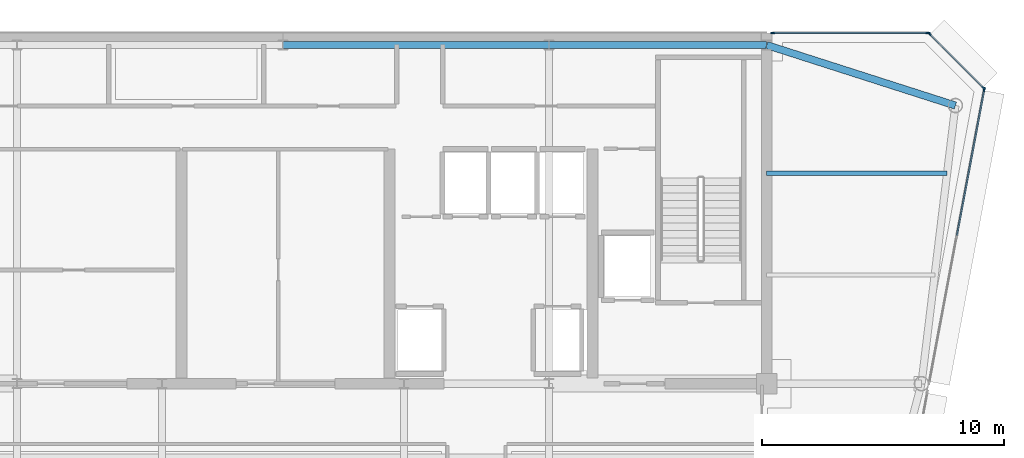
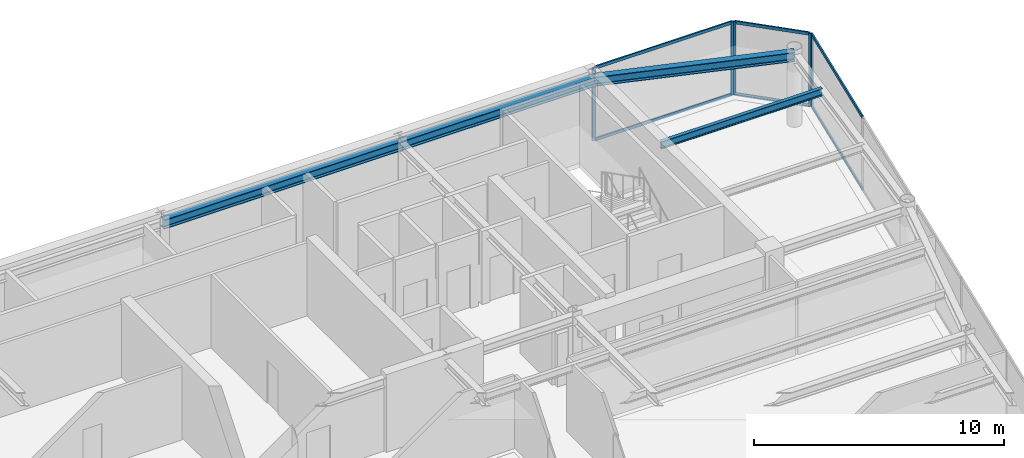
# One storey, part 9 of 19: 11 members, 4 beams, 3 elements without a shape of their own.
"""IFC4 building model written with IfcOpenShell, lengths in metres."""

from ifc_helpers import new_model, si_unit, direction, frame, origin, origin_2d, place, context, subcontext, project, spatial, rectangle, i_section, extrude, source, transform, mapped, material, layer, layer_set, material_profile, profile_set, type_object, element, aggregate, save


model = new_model("IFC4")

# Units and contexts
model_context = context("Model", 3, precision=1e-05, world=origin(), true_north=direction((0.0, 1.0)))
body_context = subcontext(model_context, "Body", "Model", "MODEL_VIEW")
ifc_project = project(units=[si_unit("LENGTHUNIT", "METRE"), si_unit("AREAUNIT", "SQUARE_METRE"), si_unit("VOLUMEUNIT", "CUBIC_METRE"), si_unit("PLANEANGLEUNIT", "RADIAN"), si_unit("MASSUNIT", "GRAM", prefix="KILO")], contexts=[model_context])

# Site, building, storey
site_placement = place(None, origin())
site = spatial("IfcSite", under=ifc_project, at=site_placement, CompositionType="ELEMENT")
building_placement = place(site_placement, origin())
building = spatial("IfcBuilding", under=site, at=building_placement, Name="Vaeldorn Concourse Tower", CompositionType="ELEMENT")
storey_placement = place(building_placement, frame((0.0, 0.0, 287.800048828125)))
storey = spatial("IfcBuildingStorey", under=building, at=storey_placement, Name="L74", CompositionType="ELEMENT", Elevation=287.800048828125)

# Beams
ifc_material_1 = material(Name="Steel S355", Category="steel")
ifc_material_profile_1 = material_profile(ifc_material_1, i_section(OverallWidth=0.300048828125, OverallDepth=0.449951171875, WebThickness=0.013916015625, FlangeThickness=0.02587890625, FilletRadius=0.027099609375, at=origin_2d()), Name="HEB 450")
ifc_profile_set_1 = profile_set([ifc_material_profile_1], Name="Steel S355")
beam_type_1 = type_object("IfcBeamType", Name="BM-PG-HEB450", PredefinedType="BEAM", material=ifc_profile_set_1)
shared_shape_1 = source(origin(), body_context, "Body", "SweptSolid", [
    extrude(i_section(OverallWidth=0.300048828125, OverallDepth=0.449951171875, WebThickness=0.013916015625, FlangeThickness=0.02587890625, FilletRadius=0.027099609375, at=origin_2d()), origin(), (0.0, 0.0, 1.0), 11.0),
])
beam_1_placement = place(storey_placement, frame((34.0, 50.5, 3.35498046875), z_axis=(1.0, 0.0, 0.0), x_axis=(0.0, 1.0, 0.0)))
element("IfcBeam", 1, at=beam_1_placement, inside=storey, type_object=beam_type_1, Name="Beam BM-L74-C-HC3-C-HC4", PredefinedType="BEAM", context=body_context, shape_type="MappedRepresentation", body=[
    mapped(shared_shape_1, transform((0.0, 0.0, 0.0), scale=1.0)),
])
ifc_material_profile_2 = material_profile(ifc_material_1, i_section(OverallWidth=0.169921875, OverallDepth=0.360107421875, WebThickness=0.008056640625, FlangeThickness=0.0126953125, FilletRadius=0.01806640625, at=origin_2d()), Name="IPE 360")
ifc_profile_set_2 = profile_set([ifc_material_profile_2], Name="Steel S355")
beam_type_2 = type_object("IfcBeamType", Name="BM-JS-IPE360", PredefinedType="JOIST", material=ifc_profile_set_2)
shared_shape_2 = source(origin(), body_context, "Body", "SweptSolid", [
    extrude(i_section(OverallWidth=0.169921875, OverallDepth=0.360107421875, WebThickness=0.008056640625, FlangeThickness=0.0126953125, FilletRadius=0.01806640625, at=origin_2d()), origin(), (0.0, 0.0, 1.0), 7.458984375),
])
beam_2_placement = place(storey_placement, frame((54.0, 45.199951171875, 3.39990234375), z_axis=(1.0, 0.0, 0.0), x_axis=(0.0, 1.0, 0.0)))
element("IfcBeam", 2, at=beam_2_placement, inside=storey, type_object=beam_type_2, Name="Beam JS-L74-NE-452", PredefinedType="JOIST", context=body_context, shape_type="MappedRepresentation", body=[
    mapped(shared_shape_2, transform((0.0, 0.0, 0.0), scale=1.0)),
])
shared_shape_3 = source(origin(), body_context, "Body", "SweptSolid", [
    extrude(i_section(OverallWidth=0.300048828125, OverallDepth=0.449951171875, WebThickness=0.013916015625, FlangeThickness=0.02587890625, FilletRadius=0.027099609375, at=origin_2d()), origin(), (0.0, 0.0, 1.0), 9.0),
])
beam_3_placement = place(storey_placement, frame((45.0, 50.5, 3.35498046875), z_axis=(1.0, 0.0, 0.0), x_axis=(0.0, 1.0, 0.0)))
element("IfcBeam", 3, at=beam_3_placement, inside=storey, type_object=beam_type_1, Name="Beam BM-L74-C-HC4-C-HC5", PredefinedType="BEAM", context=body_context, shape_type="MappedRepresentation", body=[
    mapped(shared_shape_3, transform((0.0, 0.0, 0.0), scale=1.0)),
])
shared_shape_4 = source(origin(), body_context, "Body", "SweptSolid", [
    extrude(i_section(OverallWidth=0.300048828125, OverallDepth=0.449951171875, WebThickness=0.013916015625, FlangeThickness=0.02587890625, FilletRadius=0.027099609375, at=origin_2d()), origin(), (0.0, 0.0, 1.0), 8.19091796875),
])
beam_4_placement = place(storey_placement, frame((54.0, 50.5, 3.35498046875), z_axis=(0.952282843383, -0.305216949396, 0.0), x_axis=(0.305216949396, 0.952282843383, 0.0)))
element("IfcBeam", 4, at=beam_4_placement, inside=storey, type_object=beam_type_1, Name="Beam BM-L74-C-HC5-C-NE1", PredefinedType="BEAM", context=body_context, shape_type="MappedRepresentation", body=[
    mapped(shared_shape_4, transform((0.0, 0.0, 0.0), scale=1.0)),
])

# Curtain wall, member
ifc_material_2 = material(Name="Anodised Bronze Aluminium", Category="aluminium")
ifc_layer = layer(ifc_material_2, 0.179931640625)
ifc_layer_set = layer_set([ifc_layer], Name="Anodised Bronze Aluminium")
curtain_wall_type = type_object("IfcCurtainWallType", Name="CW-SYS-05", PredefinedType="NOTDEFINED", material=ifc_layer_set)
curtain_wall_1_placement = place(storey_placement, origin())
curtain_wall_1 = element("IfcCurtainWall", 5, at=curtain_wall_1_placement, inside=storey, type_object=curtain_wall_type, Name="Unitised Curtain Wall CW-L74-E07-2", PredefinedType="NOTDEFINED")
ifc_material_profile_3 = material_profile(ifc_material_2, rectangle(XDim=0.06494140625, YDim=0.169921875, at=origin_2d()), Name="CWM 65x170")
ifc_profile_set_3 = profile_set([ifc_material_profile_3], Name="Anodised Bronze Aluminium")
member_type_1 = type_object("IfcMemberType", Name="CWM-BRONZE-170", PredefinedType="MULLION", material=ifc_profile_set_3)
shared_shape_5 = source(origin(), body_context, "Body", "SweptSolid", [
    extrude(rectangle(XDim=0.06494140625, YDim=0.169921875, at=origin_2d()), origin(), (0.0, 0.0, 1.0), 3.579833984375),
])
member_1_placement = place(storey_placement, frame((62.993896484375, 48.66796875, 0.0), z_axis=(0.0, 0.0, 1.0), x_axis=(-0.982880218842, 0.184245693053, 0.0)))
member_1 = element("IfcMember", 6, at=member_1_placement, type_object=member_type_1, Name="CW-05 mullion 3", PredefinedType="MULLION", context=body_context, shape_type="MappedRepresentation", body=[
    mapped(shared_shape_5, transform((0.0, 0.0, 0.0), scale=1.0)),
])

# Curtain wall, members
curtain_wall_2_placement = place(storey_placement, origin())
curtain_wall_2 = element("IfcCurtainWall", 7, at=curtain_wall_2_placement, inside=storey, type_object=curtain_wall_type, Name="Unitised Curtain Wall CW-L74-E08-1", PredefinedType="NOTDEFINED")
member_2_placement = place(storey_placement, frame((62.97705078125, 48.722900390625, 0.0), z_axis=(0.0, 0.0, 1.0), x_axis=(-0.707106781187, -0.707106781187, 0.0)))
member_2 = element("IfcMember", 8, at=member_2_placement, type_object=member_type_1, Name="CW-05 mullion 1", PredefinedType="MULLION", context=body_context, shape_type="MappedRepresentation", body=[
    mapped(shared_shape_5, transform((0.0, 0.0, 0.0), scale=1.0)),
])
member_3_placement = place(storey_placement, frame((60.722900390625, 50.97705078125, 0.0), z_axis=(0.0, 0.0, 1.0), x_axis=(-0.707106781187, -0.707106781187, 0.0)))
member_3 = element("IfcMember", 9, at=member_3_placement, type_object=member_type_1, Name="CW-05 mullion 2", PredefinedType="MULLION", context=body_context, shape_type="MappedRepresentation", body=[
    mapped(shared_shape_5, transform((0.0, 0.0, 0.0), scale=1.0)),
])

curtain_wall_3_placement = place(storey_placement, origin())
curtain_wall_3 = element("IfcCurtainWall", 10, at=curtain_wall_3_placement, inside=storey, type_object=curtain_wall_type, Name="Unitised Curtain Wall CW-L74-E09-1", PredefinedType="NOTDEFINED")
member_4_placement = place(storey_placement, frame((60.66748046875, 51.0, 0.0), z_axis=(0.0, 0.0, 1.0), x_axis=(0.0, -1.0, 0.0)))
member_4 = element("IfcMember", 11, at=member_4_placement, type_object=member_type_1, Name="CW-05 mullion 1", PredefinedType="MULLION", context=body_context, shape_type="MappedRepresentation", body=[
    mapped(shared_shape_5, transform((0.0, 0.0, 0.0), scale=1.0)),
])
member_5_placement = place(storey_placement, frame((54.25244140625, 51.0, 0.0), z_axis=(0.0, 0.0, 1.0), x_axis=(0.0, -1.0, 0.0)))
member_5 = element("IfcMember", 12, at=member_5_placement, type_object=member_type_1, Name="CW-05 mullion 2", PredefinedType="MULLION", context=body_context, shape_type="MappedRepresentation", body=[
    mapped(shared_shape_5, transform((0.0, 0.0, 0.0), scale=1.0)),
])

# Member
ifc_material_profile_4 = material_profile(ifc_material_2, rectangle(XDim=0.06494140625, YDim=0.14990234375, at=origin_2d()), Name="CWT 65x150")
ifc_profile_set_4 = profile_set([ifc_material_profile_4], Name="Anodised Bronze Aluminium")
member_type_2 = type_object("IfcMemberType", Name="CWT-BRONZE-150", PredefinedType="USERDEFINED", material=ifc_profile_set_4)
shared_shape_6 = source(origin(), body_context, "Body", "SweptSolid", [
    extrude(rectangle(XDim=0.06494140625, YDim=0.14990234375, at=origin_2d()), origin(), (0.0, 0.0, 1.0), 3.123046875),
])
member_6_placement = place(storey_placement, frame((62.9541015625, 48.745849609375, 0.032470703125), z_axis=(-0.707106781187, 0.707106781187, 0.0), x_axis=(-0.707106781187, -0.707106781187, 0.0)))
member_6 = element("IfcMember", 13, at=member_6_placement, type_object=member_type_2, Name="CW-05 transom 1.1", ObjectType="TRANSOM", PredefinedType="USERDEFINED", context=body_context, shape_type="MappedRepresentation", body=[
    mapped(shared_shape_6, transform((0.0, 0.0, 0.0), scale=1.0)),
])

member_7_placement = place(storey_placement, frame((62.9541015625, 48.745849609375, 3.54736328125), z_axis=(-0.707106781187, 0.707106781187, 0.0), x_axis=(-0.707106781187, -0.707106781187, 0.0)))
member_7 = element("IfcMember", 14, at=member_7_placement, type_object=member_type_2, Name="CW-05 transom 1.2", ObjectType="TRANSOM", PredefinedType="USERDEFINED", context=body_context, shape_type="MappedRepresentation", body=[
    mapped(shared_shape_6, transform((0.0, 0.0, 0.0), scale=1.0)),
])

aggregate(curtain_wall_2, [member_2, member_3, member_6, member_7])

shared_shape_7 = source(origin(), body_context, "Body", "SweptSolid", [
    extrude(rectangle(XDim=0.06494140625, YDim=0.14990234375, at=origin_2d()), origin(), (0.0, 0.0, 1.0), 6.35009765625),
])
member_8_placement = place(storey_placement, frame((60.635009765625, 51.0, 0.032470703125), z_axis=(-1.0, 0.0, 0.0), x_axis=(0.0, -1.0, 0.0)))
member_8 = element("IfcMember", 15, at=member_8_placement, type_object=member_type_2, Name="CW-05 transom 1.1", ObjectType="TRANSOM", PredefinedType="USERDEFINED", context=body_context, shape_type="MappedRepresentation", body=[
    mapped(shared_shape_7, transform((0.0, 0.0, 0.0), scale=1.0)),
])

member_9_placement = place(storey_placement, frame((60.635009765625, 51.0, 3.54736328125), z_axis=(-1.0, 0.0, 0.0), x_axis=(0.0, -1.0, 0.0)))
member_9 = element("IfcMember", 16, at=member_9_placement, type_object=member_type_2, Name="CW-05 transom 1.2", ObjectType="TRANSOM", PredefinedType="USERDEFINED", context=body_context, shape_type="MappedRepresentation", body=[
    mapped(shared_shape_7, transform((0.0, 0.0, 0.0), scale=1.0)),
])

aggregate(curtain_wall_3, [member_4, member_5, member_8, member_9])

shared_shape_8 = source(origin(), body_context, "Body", "SweptSolid", [
    extrude(rectangle(XDim=0.06494140625, YDim=0.14990234375, at=origin_2d()), origin(), (0.0, 0.0, 1.0), 6.103515625),
])
member_10_placement = place(storey_placement, frame((61.863525390625, 42.63720703125, 0.032470703125), z_axis=(0.18424023288, 0.982881242363, 0.0), x_axis=(-0.982881242363, 0.18424023288, 0.0)))
member_10 = element("IfcMember", 17, at=member_10_placement, type_object=member_type_2, Name="CW-05 transom 2.1", ObjectType="TRANSOM", PredefinedType="USERDEFINED", context=body_context, shape_type="MappedRepresentation", body=[
    mapped(shared_shape_8, transform((0.0, 0.0, 0.0), scale=1.0)),
])

member_11_placement = place(storey_placement, frame((61.863525390625, 42.63720703125, 3.54736328125), z_axis=(0.18424023288, 0.982881242363, 0.0), x_axis=(-0.982881242363, 0.18424023288, 0.0)))
member_11 = element("IfcMember", 18, at=member_11_placement, type_object=member_type_2, Name="CW-05 transom 2.2", ObjectType="TRANSOM", PredefinedType="USERDEFINED", context=body_context, shape_type="MappedRepresentation", body=[
    mapped(shared_shape_8, transform((0.0, 0.0, 0.0), scale=1.0)),
])

aggregate(curtain_wall_1, [member_1, member_10, member_11])

save(model, "model.ifc")
